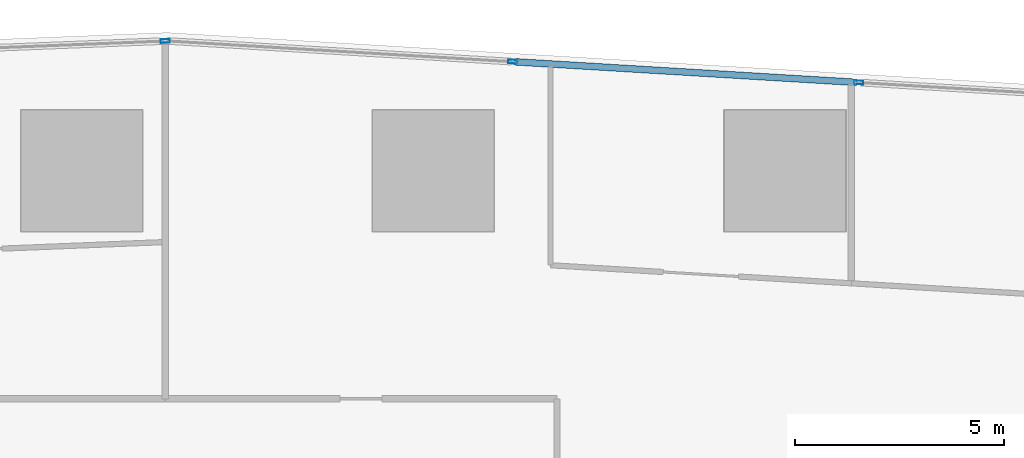
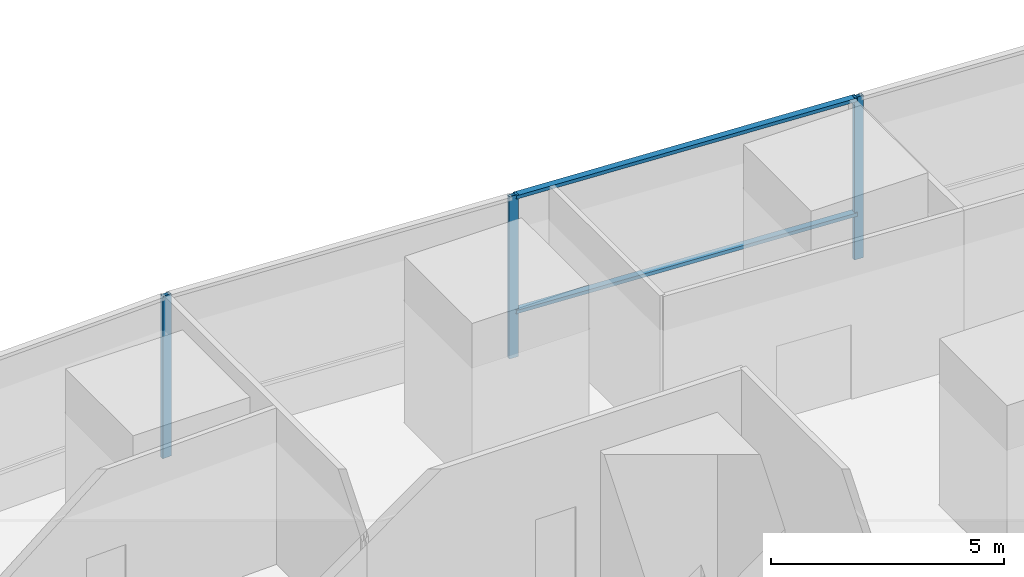
# One storey, part 12 of 44: 5 members, 2 elements without a shape of their own.
"""IFC4 building model written with IfcOpenShell, lengths in metres."""

from ifc_helpers import new_model, si_unit, direction, frame, origin, origin_2d, place, context, subcontext, project, spatial, hollow_rectangle, extrude, material, material_profile, profile_set, type_object, element, aggregate, save


model = new_model("IFC4")

# Units and contexts
model_context = context("Model", 3, precision=1e-05, world=origin(), true_north=direction((0.0, 1.0)))
body_context = subcontext(model_context, "Body", "Model", "MODEL_VIEW")
ifc_project = project(units=[si_unit("LENGTHUNIT", "METRE"), si_unit("AREAUNIT", "SQUARE_METRE"), si_unit("VOLUMEUNIT", "CUBIC_METRE"), si_unit("PLANEANGLEUNIT", "RADIAN"), si_unit("MASSUNIT", "GRAM", prefix="KILO")], contexts=[model_context])

# Site, building, storey
site_placement = place(None, origin())
site = spatial("IfcSite", under=ifc_project, at=site_placement, CompositionType="ELEMENT")
building_placement = place(site_placement, origin())
building = spatial("IfcBuilding", under=site, at=building_placement, Name="Rekha Terrace Tower", CompositionType="ELEMENT")
storey_placement = place(building_placement, frame((0.0, 0.0, 90.800048828125)))
storey = spatial("IfcBuildingStorey", under=building, at=storey_placement, Name="L22", CompositionType="ELEMENT", Elevation=90.800048828125)

# Curtain wall, members
ifc_material_1 = material(Name="Aluminium framing", Category="aluminium")
curtain_wall_type = type_object("IfcCurtainWallType", Name="CW5 sky garden glazing", PredefinedType="USERDEFINED", material=ifc_material_1)
curtain_wall_1_placement = place(storey_placement, origin())
curtain_wall_1 = element("IfcCurtainWall", 1, at=curtain_wall_1_placement, inside=storey, type_object=curtain_wall_type, Name="CW5 sky garden curtain wall", ObjectType="SKY GARDEN CURTAIN WALL", PredefinedType="USERDEFINED")
ifc_material_2 = material(Name="Aluminium mullion section", Category="aluminium")
ifc_material_profile_1 = material_profile(ifc_material_2, hollow_rectangle(XDim=0.090087890625, YDim=0.219970703125, WallThickness=0.00390625, at=origin_2d()), Name="AL RHS 90x220")
ifc_profile_set_1 = profile_set([ifc_material_profile_1], Name="Aluminium mullion section")
member_type_1 = type_object("IfcMemberType", Name="CW5 mullion RHS 90 x 220", PredefinedType="MULLION", material=ifc_profile_set_1)
member_1_placement = place(storey_placement, frame((60.561279296875, 60.90673828125, 0.0), z_axis=(0.0, 0.0, 1.0), x_axis=(-0.059987926837, -0.998199102701, 0.0)))
member_1 = element("IfcMember", 2, at=member_1_placement, type_object=member_type_1, Name="CW5 mullion 2", PredefinedType="MULLION", context=body_context, shape_type="SweptSolid", body=[
    extrude(hollow_rectangle(XDim=0.090087890625, YDim=0.219970703125, WallThickness=0.00390625, at=origin_2d()), origin(), (0.0, 0.0, 1.0), 4.25),
])
member_2_placement = place(storey_placement, frame((52.299560546875, 61.4033203125, 0.0), z_axis=(0.0, 0.0, 1.0), x_axis=(-0.059987926837, -0.998199102701, 0.0)))
member_2 = element("IfcMember", 3, at=member_2_placement, type_object=member_type_1, Name="CW5 mullion 3", PredefinedType="MULLION", context=body_context, shape_type="SweptSolid", body=[
    extrude(hollow_rectangle(XDim=0.090087890625, YDim=0.219970703125, WallThickness=0.00390625, at=origin_2d()), origin(), (0.0, 0.0, 1.0), 4.25),
])

# Curtain wall, member
curtain_wall_2_placement = place(storey_placement, origin())
curtain_wall_2 = element("IfcCurtainWall", 4, at=curtain_wall_2_placement, inside=storey, type_object=curtain_wall_type, Name="CW5 sky garden curtain wall", ObjectType="SKY GARDEN CURTAIN WALL", PredefinedType="USERDEFINED")
member_3_placement = place(storey_placement, frame((43.992919921875, 61.89794921875, 0.0), z_axis=(0.0, 0.0, 1.0), x_axis=(0.040031987119, -0.999198398721, 0.0)))
member_3 = element("IfcMember", 5, at=member_3_placement, type_object=member_type_1, Name="CW5 mullion 1", PredefinedType="MULLION", context=body_context, shape_type="SweptSolid", body=[
    extrude(hollow_rectangle(XDim=0.090087890625, YDim=0.219970703125, WallThickness=0.00390625, at=origin_2d()), origin(), (0.0, 0.0, 1.0), 4.25),
])
aggregate(curtain_wall_2, [member_3])

# Member
ifc_material_3 = material(Name="Aluminium transom section", Category="aluminium")
ifc_material_profile_2 = material_profile(ifc_material_3, hollow_rectangle(XDim=0.159912109375, YDim=0.090087890625, WallThickness=0.0029296875, at=origin_2d()), Name="AL RHS 160x90")
ifc_profile_set_2 = profile_set([ifc_material_profile_2], Name="Aluminium transom section")
member_type_2 = type_object("IfcMemberType", Name="CW5 transom RHS 90 x 160", PredefinedType="USERDEFINED", material=ifc_profile_set_2)
member_4_placement = place(storey_placement, frame((60.516357421875, 60.909423828125, 1.199951171875), z_axis=(-0.998198278423, 0.060001641258, 0.0), x_axis=(-0.060001641258, -0.998198278423, 0.0)))
member_4 = element("IfcMember", 6, at=member_4_placement, type_object=member_type_2, Name="CW5 transom 2.2", ObjectType="TRANSOM", PredefinedType="USERDEFINED", context=body_context, shape_type="SweptSolid", body=[
    extrude(hollow_rectangle(XDim=0.159912109375, YDim=0.090087890625, WallThickness=0.0029296875, at=origin_2d()), origin(), (0.0, 0.0, 1.0), 8.1865234375),
])

member_5_placement = place(storey_placement, frame((60.516357421875, 60.909423828125, 4.204833984375), z_axis=(-0.998198278423, 0.060001641258, 0.0), x_axis=(-0.060001641258, -0.998198278423, 0.0)))
member_5 = element("IfcMember", 7, at=member_5_placement, type_object=member_type_2, Name="CW5 transom 2.3", ObjectType="TRANSOM", PredefinedType="USERDEFINED", context=body_context, shape_type="SweptSolid", body=[
    extrude(hollow_rectangle(XDim=0.159912109375, YDim=0.090087890625, WallThickness=0.0029296875, at=origin_2d()), origin(), (0.0, 0.0, 1.0), 8.1865234375),
])

aggregate(curtain_wall_1, [member_1, member_2, member_4, member_5])

save(model, "model.ifc")
